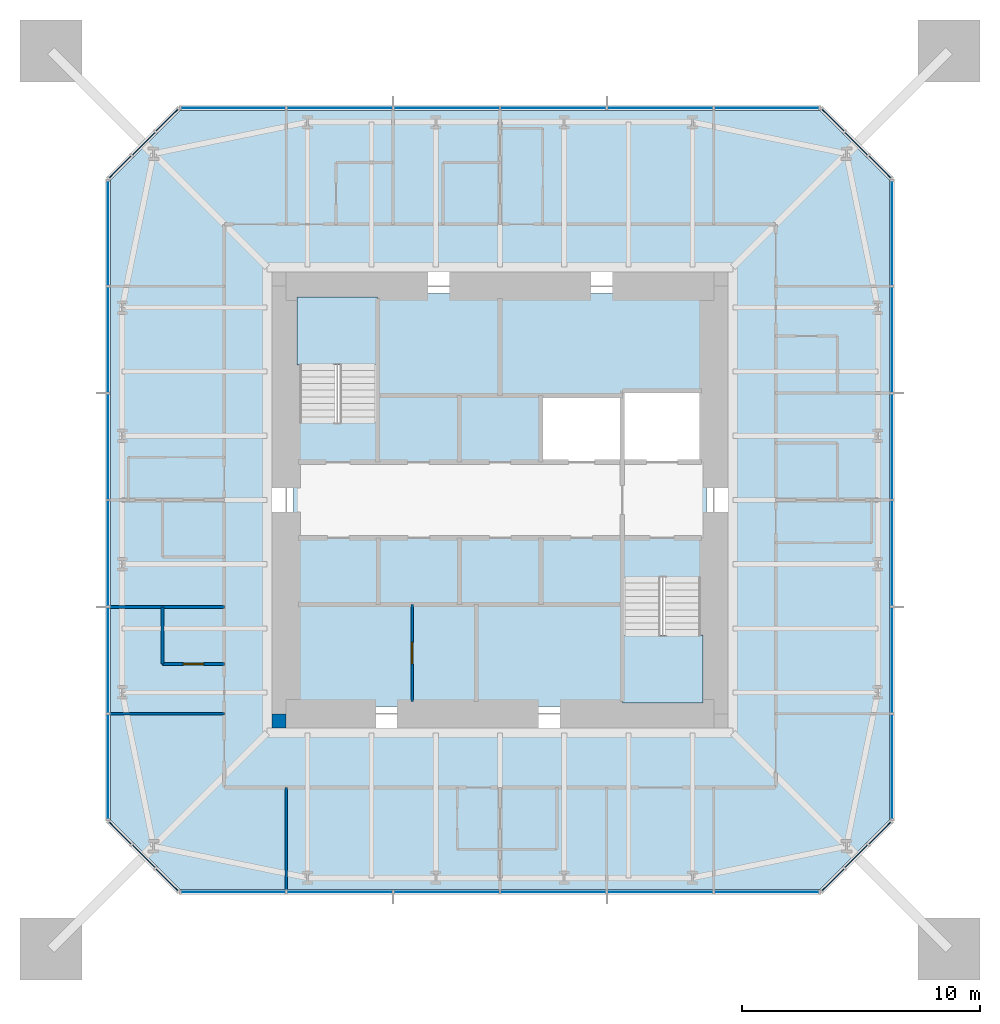
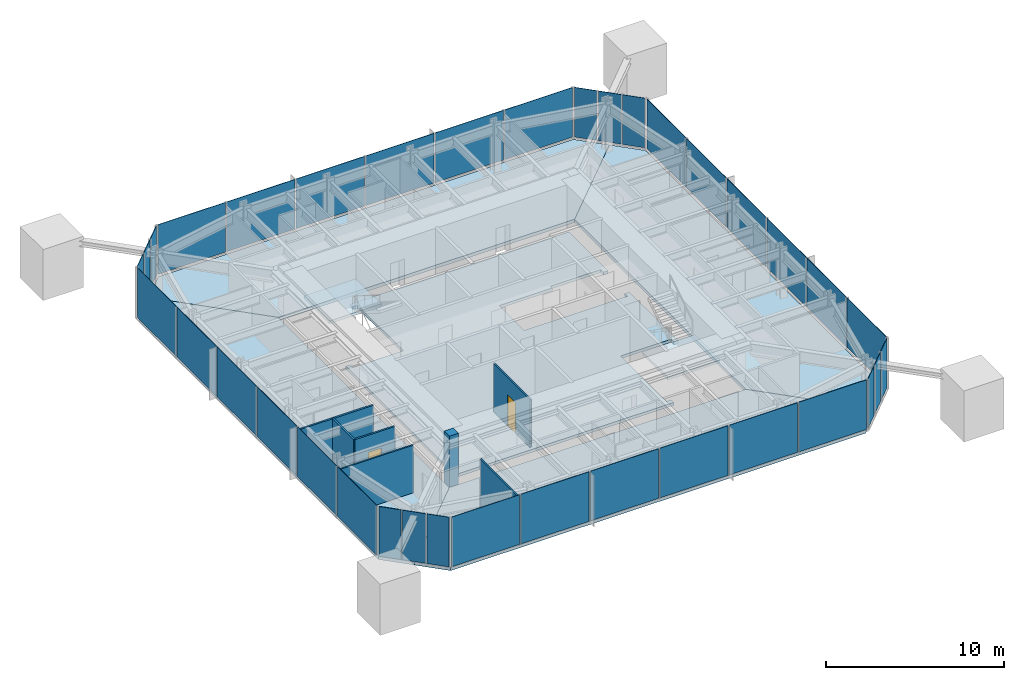
# One storey, part 5 of 9: 36 plates, 7 slabs, 7 walls, 2 doors, 2 openings, 10 elements without a shape of their own.
"""IFC4 building model written with IfcOpenShell, lengths in metres."""

import ifcopenshell
import ifcopenshell.guid

model = None  # the IFC model being written
_history = None  # IfcOwnerHistory: only IFC2X3 demands one
_inside = {}  # id of a spatial element -> (the spatial element, [elements in it])
_under = {}  # id of a project, library or spatial element -> (it, [spatial elements below it])
_declared = {}  # id of a project -> (the project, [libraries it declares])
_typed = {}  # id of a type object -> (the type object, [elements of that type])
_made_of = {}  # id of a material, layer set ... -> (it, [elements and type objects made of it])


def new_model(schema):
    """Start an empty IFC model of exactly this schema.

    Asked for "IFC4X3", IfcOpenShell would pick the latest addendum, in which some entities
    have other attributes; the version numbers below select the first issue.
    IFC2X3 requires an IfcOwnerHistory on every rooted entity: one is made here for all.
    """
    global model, _history
    if schema == "IFC4X3":
        model = ifcopenshell.file(schema_version=(4, 3, 0, 0))
    else:
        model = ifcopenshell.file(schema=schema)
    _inside.clear()
    _under.clear()
    _declared.clear()
    _typed.clear()
    _made_of.clear()
    _history = None
    if model.schema == "IFC2X3":
        org = make("IfcOrganization", Name="unknown")
        user = make(
            "IfcPersonAndOrganization",
            ThePerson=make("IfcPerson", FamilyName="unknown"),
            TheOrganization=org,
        )
        app = make(
            "IfcApplication",
            ApplicationDeveloper=org,
            Version="unknown",
            ApplicationFullName="unknown",
            ApplicationIdentifier="unknown",
        )
        _history = make(
            "IfcOwnerHistory",
            OwningUser=user,
            OwningApplication=app,
            ChangeAction="ADDED",
            CreationDate=0,
        )
    return model


def make(cls, **values):
    """One entity of the class cls with the attributes given. An attribute that is None is left unset."""
    return model.create_entity(
        cls, **{name: value for name, value in values.items() if value is not None}
    )


def rooted(cls, **values):
    """An entity with a GlobalId (a new one), such as an element, a storey or a relation."""
    return make(cls, GlobalId=ifcopenshell.guid.new(), OwnerHistory=_history, **values)


def si_unit(unit_type, name, prefix=None):
    """IfcSIUnit, for example si_unit("LENGTHUNIT", "METRE", prefix="MILLI")."""
    return make("IfcSIUnit", UnitType=unit_type, Prefix=prefix, Name=name)


def assignment(units):
    """IfcUnitAssignment: the units of a project."""
    return None if units is None else make("IfcUnitAssignment", Units=units)


def point(xyz):
    """IfcCartesianPoint."""
    return None if xyz is None else make("IfcCartesianPoint", Coordinates=xyz)


def direction(xyz):
    """IfcDirection."""
    return None if xyz is None else make("IfcDirection", DirectionRatios=xyz)


def frame(location, z_axis=None, x_axis=None):
    """IfcAxis2Placement3D, a coordinate frame: its origin and axes. An axis left out is left unset."""
    return make(
        "IfcAxis2Placement3D",
        Location=point(location),
        Axis=direction(z_axis),
        RefDirection=direction(x_axis),
    )


def frame_2d(location, x_axis=None):
    """IfcAxis2Placement2D, a coordinate frame in the plane: its origin and x axis."""
    return make(
        "IfcAxis2Placement2D", Location=point(location), RefDirection=direction(x_axis)
    )


def origin():
    """The frame at (0, 0, 0) with its axes left unset."""
    return frame((0.0, 0.0, 0.0))


def origin_2d():
    """The frame at (0, 0) in the plane with its x axis left unset."""
    return frame_2d((0.0, 0.0))


def place(relative_to, where):
    """IfcLocalPlacement: puts the frame where relative to a parent placement (None: the world)."""
    return make(
        "IfcLocalPlacement", PlacementRelTo=relative_to, RelativePlacement=where
    )


def context(
    kind, dimensions, precision=None, world=None, true_north=None, identifier=None
):
    """IfcGeometricRepresentationContext, for example the 3D "Model" context."""
    return make(
        "IfcGeometricRepresentationContext",
        ContextIdentifier=identifier,
        ContextType=kind,
        CoordinateSpaceDimension=dimensions,
        Precision=precision,
        WorldCoordinateSystem=world,
        TrueNorth=true_north,
    )


def subcontext(parent, identifier, kind, view, scale=None):
    """IfcGeometricRepresentationSubContext, for example "Body" below "Model"."""
    return make(
        "IfcGeometricRepresentationSubContext",
        ContextIdentifier=identifier,
        ContextType=kind,
        ParentContext=parent,
        TargetScale=scale,
        TargetView=view,
    )


def project(units=None, contexts=None):
    """IfcProject with its units and contexts."""
    return rooted(
        "IfcProject",
        Name="project",
        RepresentationContexts=contexts,
        UnitsInContext=assignment(units),
    )


def spatial(cls, under=None, at=None, **own):
    """A site, building, storey or space (cls), placed at a placement, below another one or the project."""
    s = rooted(cls, ObjectPlacement=at, **own)
    if under is not None:
        _under.setdefault(under.id(), (under, []))[1].append(s)
    return s


def polyline(points):
    """IfcPolyline through the points."""
    return make("IfcPolyline", Points=[point(p) for p in points])


def profile(cls, at=None, kind="AREA", **sizes):
    """A parametric profile (cls). Its sizes go by their IFC names, for example OverallWidth=200.0."""
    return make(cls, ProfileType=kind, Position=at, **sizes)


def rectangle(**sizes):
    """IfcRectangleProfileDef."""
    return profile("IfcRectangleProfileDef", **sizes)


def outline(outer, holes=None, kind="AREA"):
    """IfcArbitraryClosedProfileDef: a profile drawn as a closed curve; with holes, ...WithVoids."""
    if holes is None:
        return make("IfcArbitraryClosedProfileDef", ProfileType=kind, OuterCurve=outer)
    return make(
        "IfcArbitraryProfileDefWithVoids",
        ProfileType=kind,
        OuterCurve=outer,
        InnerCurves=holes,
    )


def extrude(swept, where, along, depth):
    """IfcExtrudedAreaSolid: the profile swept, set in the frame where, extruded along a direction by depth."""
    return make(
        "IfcExtrudedAreaSolid",
        SweptArea=swept,
        Position=where,
        ExtrudedDirection=direction(along),
        Depth=depth,
    )


def shape(context_of_items, identifier, shape_type, items):
    """IfcShapeRepresentation: the items that make up one representation, for example the "Body"."""
    return make(
        "IfcShapeRepresentation",
        ContextOfItems=context_of_items,
        RepresentationIdentifier=identifier,
        RepresentationType=shape_type,
        Items=items,
    )


def material(Name=None, Category=None):
    """IfcMaterial."""
    return make("IfcMaterial", Name=Name, Category=Category)


def layer(
    of_material, thickness, ventilated=None, Name=None, Category=None, Priority=None
):
    """IfcMaterialLayer: one layer of a wall or slab, of a material (None: an air gap)."""
    return make(
        "IfcMaterialLayer",
        Material=of_material,
        LayerThickness=thickness,
        IsVentilated=ventilated,
        Name=Name,
        Category=Category,
        Priority=Priority,
    )


def layer_set(layers, Name=None):
    """IfcMaterialLayerSet."""
    return make("IfcMaterialLayerSet", MaterialLayers=layers, LayerSetName=Name)


def constituent(of_material, Name=None, Category=None, fraction=None):
    """IfcMaterialConstituent: one of the materials an element consists of."""
    return make(
        "IfcMaterialConstituent",
        Name=Name,
        Material=of_material,
        Fraction=fraction,
        Category=Category,
    )


def constituent_set(constituents=None, Name=None):
    """IfcMaterialConstituentSet."""
    return make(
        "IfcMaterialConstituentSet", Name=Name, MaterialConstituents=constituents
    )


def made_of(thing, what):
    """Note that an element or type object is made of a material, layer set ...; save() writes the relation."""
    if what is not None:
        _made_of.setdefault(what.id(), (what, []))[1].append(thing)
    return thing


def type_object(cls, material=None, **own):
    """A type object (cls), such as IfcWallType, which elements share."""
    return made_of(rooted(cls, **own), material)


def element(
    cls,
    number,
    at=None,
    inside=None,
    cuts=None,
    type_object=None,
    material=None,
    context=None,
    identifier="Body",
    shape_type=None,
    held_by="IfcProductDefinitionShape",
    body=None,
    shapes=None,
    **own,
):
    """One element of the class cls, such as IfcWall. Its Tag is "e" and its number.

    at: its placement. inside: the storey or other place that contains it. cuts: it is an
    opening in that element (IfcRelVoidsElement). A single representation is given by context,
    identifier, shape_type and body (its items); several are given by shapes. held_by: the class
    of the entity that holds the representations. save() writes the other relations.
    """
    e = rooted(cls, Tag="e%d" % number, ObjectPlacement=at, **own)
    if body is not None:
        shapes = [shape(context, identifier, shape_type, body)]
    if shapes is not None:
        e.Representation = make(held_by, Representations=shapes)
    if inside is not None:
        _inside.setdefault(inside.id(), (inside, []))[1].append(e)
    if cuts is not None:
        rooted(
            "IfcRelVoidsElement", RelatingBuildingElement=cuts, RelatedOpeningElement=e
        )
    if type_object is not None:
        _typed.setdefault(type_object.id(), (type_object, []))[1].append(e)
    return made_of(e, material)


def fill(opening, filler):
    """IfcRelFillsElement: the door or window that sits in an opening."""
    return rooted(
        "IfcRelFillsElement",
        RelatingOpeningElement=opening,
        RelatedBuildingElement=filler,
    )


def aggregate(whole, parts):
    """IfcRelAggregates: a whole, such as a stair, and the parts it consists of."""
    return rooted("IfcRelAggregates", RelatingObject=whole, RelatedObjects=parts)


def save(model, path):
    """Write the relations noted so far, then the file.

    IfcRelAggregates (storeys below a building ...), IfcRelContainedInSpatialStructure (elements
    in a storey), IfcRelDefinesByType, IfcRelAssociatesMaterial and IfcRelDeclares: one each for
    every whole, place, type object, material and project.
    """
    for whole, parts in _under.values():
        aggregate(whole, parts)
    for where, things in _inside.values():
        rooted(
            "IfcRelContainedInSpatialStructure",
            RelatedElements=things,
            RelatingStructure=where,
        )
    for kind, things in _typed.values():
        rooted("IfcRelDefinesByType", RelatedObjects=things, RelatingType=kind)
    for what, things in _made_of.values():
        rooted("IfcRelAssociatesMaterial", RelatedObjects=things, RelatingMaterial=what)
    for by, libraries in _declared.values():
        rooted("IfcRelDeclares", RelatingContext=by, RelatedDefinitions=libraries)
    model.write(path)


model = new_model("IFC4")

# Units and contexts
model_context = context("Model", 3, precision=1e-05, world=origin(), true_north=direction((0.0, 1.0)))
body_context = subcontext(model_context, "Body", "Model", "MODEL_VIEW")
ifc_project = project(units=[si_unit("LENGTHUNIT", "METRE"), si_unit("AREAUNIT", "SQUARE_METRE"), si_unit("VOLUMEUNIT", "CUBIC_METRE"), si_unit("PLANEANGLEUNIT", "RADIAN"), si_unit("MASSUNIT", "GRAM", prefix="KILO")], contexts=[model_context])

# Site, building, storey
site_placement = place(None, origin())
site = spatial("IfcSite", under=ifc_project, at=site_placement, CompositionType="ELEMENT")
building_placement = place(site_placement, origin())
building = spatial("IfcBuilding", under=site, at=building_placement, Name="Iwan Alto Co-Living Towers", CompositionType="ELEMENT")
storey_placement = place(building_placement, frame((0.0, 0.0, 236.0)))
storey = spatial("IfcBuildingStorey", under=building, at=storey_placement, Name="L64", CompositionType="ELEMENT", Elevation=236.0)

# Slab
ifc_material_1 = material(Name="Concrete f'c 30 MPa", Category="concrete")
ifc_layer_1 = layer(ifc_material_1, 0.199951171875)
ifc_layer_set_1 = layer_set([ifc_layer_1], Name="CORE FLOOR SLAB 200")
slab_type_1 = type_object("IfcSlabType", Name="CORE FLOOR SLAB 200", PredefinedType="FLOOR", material=ifc_layer_set_1)
slab_1_placement = place(storey_placement, frame((0.0, 0.0, -0.199951171875)))
element("IfcSlab", 1, at=slab_1_placement, inside=storey, type_object=slab_type_1, Name="T1 core floor L64", PredefinedType="FLOOR", context=body_context, shape_type="SweptSolid", body=[
    extrude(outline(polyline([(-8.699951171875, 3.580078125), (-8.39990234375, 3.580078125), (-8.39990234375, 3.27001953125), (-5.14990234375, 3.27001953125), (-5.14990234375, 8.39990234375), (-5.4599609375, 8.39990234375), (-5.4599609375, 8.699951171875), (8.699951171875, 8.699951171875), (8.699951171875, 4.2900390625), (8.39990234375, 4.2900390625), (8.39990234375, 4.60009765625), (5.14990234375, 4.60009765625), (5.14990234375, 4.39990234375), (1.717041015625, 4.39990234375), (1.717041015625, 1.60009765625), (5.14990234375, 1.60009765625), (8.39990234375, 1.60009765625), (8.39990234375, 1.909912109375), (8.699951171875, 1.909912109375), (8.699951171875, -3.580078125), (8.39990234375, -3.580078125), (8.39990234375, -3.27001953125), (5.14990234375, -3.27001953125), (5.14990234375, -8.39990234375), (5.4599609375, -8.39990234375), (5.4599609375, -8.699951171875), (-8.699951171875, -8.699951171875), (-8.699951171875, 3.580078125)])), origin(), (0.0, 0.0, 1.0), 0.199951171875),
])

# Curtain wall, plates
ifc_material_2 = material(Name="Bronze aluminium unitised frame", Category="aluminium")
curtain_wall_type_1 = type_object("IfcCurtainWallType", Name="CURTAIN WALL CW-A", PredefinedType="NOTDEFINED", material=ifc_material_2)
curtain_wall_1_placement = place(storey_placement, origin())
curtain_wall_1 = element("IfcCurtainWall", 2, at=curtain_wall_1_placement, inside=storey, type_object=curtain_wall_type_1, Name="T1 curtain wall S L64", PredefinedType="NOTDEFINED")
ifc_material_3 = material(Name="Bronze-tinted insulating glass", Category="glass")
ifc_layer_2 = layer(ifc_material_3, 0.031982421875)
ifc_layer_set_2 = layer_set([ifc_layer_2], Name="CW-A PANEL TINTED IGU 32")
plate_type_1 = type_object("IfcPlateType", Name="CW-A PANEL TINTED IGU 32", PredefinedType="CURTAIN_PANEL", material=ifc_layer_set_2)
plate_1_placement = place(storey_placement, frame((-11.22998046875, -16.5, 0.10009765625), z_axis=(0.0, 0.0, 1.0), x_axis=(1.0, 0.0, 0.0)))
plate_1 = element("IfcPlate", 3, at=plate_1_placement, type_object=plate_type_1, Name="CW-A panel 1.1", PredefinedType="CURTAIN_PANEL", context=body_context, shape_type="SweptSolid", body=[
    extrude(rectangle(XDim=4.3798828125, YDim=0.031982421875, at=origin_2d()), origin(), (0.0, 0.0, 1.0), 3.39990234375),
])
plate_2_placement = place(storey_placement, frame((-6.75, -16.5, 0.10009765625), z_axis=(0.0, 0.0, 1.0), x_axis=(1.0, 0.0, 0.0)))
plate_2 = element("IfcPlate", 4, at=plate_2_placement, type_object=plate_type_1, Name="CW-A panel 2.1", PredefinedType="CURTAIN_PANEL", context=body_context, shape_type="SweptSolid", body=[
    extrude(rectangle(XDim=4.419921875, YDim=0.031982421875, at=origin_2d()), origin(), (0.0, 0.0, 1.0), 3.39990234375),
])
plate_3_placement = place(storey_placement, frame((-2.25, -16.5, 0.10009765625), z_axis=(0.0, 0.0, 1.0), x_axis=(1.0, 0.0, 0.0)))
plate_3 = element("IfcPlate", 5, at=plate_3_placement, type_object=plate_type_1, Name="CW-A panel 3.1", PredefinedType="CURTAIN_PANEL", context=body_context, shape_type="SweptSolid", body=[
    extrude(rectangle(XDim=4.419921875, YDim=0.031982421875, at=origin_2d()), origin(), (0.0, 0.0, 1.0), 3.39990234375),
])
plate_4_placement = place(storey_placement, frame((2.25, -16.5, 0.10009765625), z_axis=(0.0, 0.0, 1.0), x_axis=(1.0, 0.0, 0.0)))
plate_4 = element("IfcPlate", 6, at=plate_4_placement, type_object=plate_type_1, Name="CW-A panel 4.1", PredefinedType="CURTAIN_PANEL", context=body_context, shape_type="SweptSolid", body=[
    extrude(rectangle(XDim=4.419921875, YDim=0.031982421875, at=origin_2d()), origin(), (0.0, 0.0, 1.0), 3.39990234375),
])
plate_5_placement = place(storey_placement, frame((6.75, -16.5, 0.10009765625), z_axis=(0.0, 0.0, 1.0), x_axis=(1.0, 0.0, 0.0)))
plate_5 = element("IfcPlate", 7, at=plate_5_placement, type_object=plate_type_1, Name="CW-A panel 5.1", PredefinedType="CURTAIN_PANEL", context=body_context, shape_type="SweptSolid", body=[
    extrude(rectangle(XDim=4.419921875, YDim=0.031982421875, at=origin_2d()), origin(), (0.0, 0.0, 1.0), 3.39990234375),
])
plate_6_placement = place(storey_placement, frame((11.22998046875, -16.5, 0.10009765625), z_axis=(0.0, 0.0, 1.0), x_axis=(1.0, 0.0, 0.0)))
plate_6 = element("IfcPlate", 8, at=plate_6_placement, type_object=plate_type_1, Name="CW-A panel 6.1", PredefinedType="CURTAIN_PANEL", context=body_context, shape_type="SweptSolid", body=[
    extrude(rectangle(XDim=4.3798828125, YDim=0.031982421875, at=origin_2d()), origin(), (0.0, 0.0, 1.0), 3.39990234375),
])
aggregate(curtain_wall_1, [plate_1, plate_2, plate_3, plate_4, plate_5, plate_6])

curtain_wall_2_placement = place(storey_placement, origin())
curtain_wall_2 = element("IfcCurtainWall", 9, at=curtain_wall_2_placement, inside=storey, type_object=curtain_wall_type_1, Name="T1 curtain wall E L64", PredefinedType="NOTDEFINED")
plate_7_placement = place(storey_placement, frame((16.5, -11.22998046875, 0.10009765625), z_axis=(0.0, 0.0, 1.0), x_axis=(0.0, 1.0, 0.0)))
plate_7 = element("IfcPlate", 10, at=plate_7_placement, type_object=plate_type_1, Name="CW-A panel 1.1", PredefinedType="CURTAIN_PANEL", context=body_context, shape_type="SweptSolid", body=[
    extrude(rectangle(XDim=4.3798828125, YDim=0.031982421875, at=origin_2d()), origin(), (0.0, 0.0, 1.0), 3.39990234375),
])
plate_8_placement = place(storey_placement, frame((16.5, -6.75, 0.10009765625), z_axis=(0.0, 0.0, 1.0), x_axis=(0.0, 1.0, 0.0)))
plate_8 = element("IfcPlate", 11, at=plate_8_placement, type_object=plate_type_1, Name="CW-A panel 2.1", PredefinedType="CURTAIN_PANEL", context=body_context, shape_type="SweptSolid", body=[
    extrude(rectangle(XDim=4.419921875, YDim=0.031982421875, at=origin_2d()), origin(), (0.0, 0.0, 1.0), 3.39990234375),
])
plate_9_placement = place(storey_placement, frame((16.5, -2.25, 0.10009765625), z_axis=(0.0, 0.0, 1.0), x_axis=(0.0, 1.0, 0.0)))
plate_9 = element("IfcPlate", 12, at=plate_9_placement, type_object=plate_type_1, Name="CW-A panel 3.1", PredefinedType="CURTAIN_PANEL", context=body_context, shape_type="SweptSolid", body=[
    extrude(rectangle(XDim=4.419921875, YDim=0.031982421875, at=origin_2d()), origin(), (0.0, 0.0, 1.0), 3.39990234375),
])
plate_10_placement = place(storey_placement, frame((16.5, 2.25, 0.10009765625), z_axis=(0.0, 0.0, 1.0), x_axis=(0.0, 1.0, 0.0)))
plate_10 = element("IfcPlate", 13, at=plate_10_placement, type_object=plate_type_1, Name="CW-A panel 4.1", PredefinedType="CURTAIN_PANEL", context=body_context, shape_type="SweptSolid", body=[
    extrude(rectangle(XDim=4.419921875, YDim=0.031982421875, at=origin_2d()), origin(), (0.0, 0.0, 1.0), 3.39990234375),
])
plate_11_placement = place(storey_placement, frame((16.5, 6.75, 0.10009765625), z_axis=(0.0, 0.0, 1.0), x_axis=(0.0, 1.0, 0.0)))
plate_11 = element("IfcPlate", 14, at=plate_11_placement, type_object=plate_type_1, Name="CW-A panel 5.1", PredefinedType="CURTAIN_PANEL", context=body_context, shape_type="SweptSolid", body=[
    extrude(rectangle(XDim=4.419921875, YDim=0.031982421875, at=origin_2d()), origin(), (0.0, 0.0, 1.0), 3.39990234375),
])
plate_12_placement = place(storey_placement, frame((16.5, 11.22998046875, 0.10009765625), z_axis=(0.0, 0.0, 1.0), x_axis=(0.0, 1.0, 0.0)))
plate_12 = element("IfcPlate", 15, at=plate_12_placement, type_object=plate_type_1, Name="CW-A panel 6.1", PredefinedType="CURTAIN_PANEL", context=body_context, shape_type="SweptSolid", body=[
    extrude(rectangle(XDim=4.3798828125, YDim=0.031982421875, at=origin_2d()), origin(), (0.0, 0.0, 1.0), 3.39990234375),
])
aggregate(curtain_wall_2, [plate_7, plate_8, plate_9, plate_10, plate_11, plate_12])

curtain_wall_3_placement = place(storey_placement, origin())
curtain_wall_3 = element("IfcCurtainWall", 16, at=curtain_wall_3_placement, inside=storey, type_object=curtain_wall_type_1, Name="T1 curtain wall N L64", PredefinedType="NOTDEFINED")
plate_13_placement = place(storey_placement, frame((11.22998046875, 16.5, 0.10009765625), z_axis=(0.0, 0.0, 1.0), x_axis=(-1.0, 0.0, 0.0)))
plate_13 = element("IfcPlate", 17, at=plate_13_placement, type_object=plate_type_1, Name="CW-A panel 1.1", PredefinedType="CURTAIN_PANEL", context=body_context, shape_type="SweptSolid", body=[
    extrude(rectangle(XDim=4.3798828125, YDim=0.031982421875, at=origin_2d()), origin(), (0.0, 0.0, 1.0), 3.39990234375),
])
plate_14_placement = place(storey_placement, frame((6.75, 16.5, 0.10009765625), z_axis=(0.0, 0.0, 1.0), x_axis=(-1.0, 0.0, 0.0)))
plate_14 = element("IfcPlate", 18, at=plate_14_placement, type_object=plate_type_1, Name="CW-A panel 2.1", PredefinedType="CURTAIN_PANEL", context=body_context, shape_type="SweptSolid", body=[
    extrude(rectangle(XDim=4.419921875, YDim=0.031982421875, at=origin_2d()), origin(), (0.0, 0.0, 1.0), 3.39990234375),
])
plate_15_placement = place(storey_placement, frame((2.25, 16.5, 0.10009765625), z_axis=(0.0, 0.0, 1.0), x_axis=(-1.0, 0.0, 0.0)))
plate_15 = element("IfcPlate", 19, at=plate_15_placement, type_object=plate_type_1, Name="CW-A panel 3.1", PredefinedType="CURTAIN_PANEL", context=body_context, shape_type="SweptSolid", body=[
    extrude(rectangle(XDim=4.419921875, YDim=0.031982421875, at=origin_2d()), origin(), (0.0, 0.0, 1.0), 3.39990234375),
])
plate_16_placement = place(storey_placement, frame((-2.25, 16.5, 0.10009765625), z_axis=(0.0, 0.0, 1.0), x_axis=(-1.0, 0.0, 0.0)))
plate_16 = element("IfcPlate", 20, at=plate_16_placement, type_object=plate_type_1, Name="CW-A panel 4.1", PredefinedType="CURTAIN_PANEL", context=body_context, shape_type="SweptSolid", body=[
    extrude(rectangle(XDim=4.419921875, YDim=0.031982421875, at=origin_2d()), origin(), (0.0, 0.0, 1.0), 3.39990234375),
])
plate_17_placement = place(storey_placement, frame((-6.75, 16.5, 0.10009765625), z_axis=(0.0, 0.0, 1.0), x_axis=(-1.0, 0.0, 0.0)))
plate_17 = element("IfcPlate", 21, at=plate_17_placement, type_object=plate_type_1, Name="CW-A panel 5.1", PredefinedType="CURTAIN_PANEL", context=body_context, shape_type="SweptSolid", body=[
    extrude(rectangle(XDim=4.419921875, YDim=0.031982421875, at=origin_2d()), origin(), (0.0, 0.0, 1.0), 3.39990234375),
])
plate_18_placement = place(storey_placement, frame((-11.22998046875, 16.5, 0.10009765625), z_axis=(0.0, 0.0, 1.0), x_axis=(-1.0, 0.0, 0.0)))
plate_18 = element("IfcPlate", 22, at=plate_18_placement, type_object=plate_type_1, Name="CW-A panel 6.1", PredefinedType="CURTAIN_PANEL", context=body_context, shape_type="SweptSolid", body=[
    extrude(rectangle(XDim=4.3798828125, YDim=0.031982421875, at=origin_2d()), origin(), (0.0, 0.0, 1.0), 3.39990234375),
])
aggregate(curtain_wall_3, [plate_13, plate_14, plate_15, plate_16, plate_17, plate_18])

curtain_wall_4_placement = place(storey_placement, origin())
curtain_wall_4 = element("IfcCurtainWall", 23, at=curtain_wall_4_placement, inside=storey, type_object=curtain_wall_type_1, Name="T1 curtain wall W L64", PredefinedType="NOTDEFINED")
plate_19_placement = place(storey_placement, frame((-16.5, 11.22998046875, 0.10009765625), z_axis=(0.0, 0.0, 1.0), x_axis=(0.0, -1.0, 0.0)))
plate_19 = element("IfcPlate", 24, at=plate_19_placement, type_object=plate_type_1, Name="CW-A panel 1.1", PredefinedType="CURTAIN_PANEL", context=body_context, shape_type="SweptSolid", body=[
    extrude(rectangle(XDim=4.3798828125, YDim=0.031982421875, at=origin_2d()), origin(), (0.0, 0.0, 1.0), 3.39990234375),
])
plate_20_placement = place(storey_placement, frame((-16.5, 6.75, 0.10009765625), z_axis=(0.0, 0.0, 1.0), x_axis=(0.0, -1.0, 0.0)))
plate_20 = element("IfcPlate", 25, at=plate_20_placement, type_object=plate_type_1, Name="CW-A panel 2.1", PredefinedType="CURTAIN_PANEL", context=body_context, shape_type="SweptSolid", body=[
    extrude(rectangle(XDim=4.419921875, YDim=0.031982421875, at=origin_2d()), origin(), (0.0, 0.0, 1.0), 3.39990234375),
])
plate_21_placement = place(storey_placement, frame((-16.5, 2.25, 0.10009765625), z_axis=(0.0, 0.0, 1.0), x_axis=(0.0, -1.0, 0.0)))
plate_21 = element("IfcPlate", 26, at=plate_21_placement, type_object=plate_type_1, Name="CW-A panel 3.1", PredefinedType="CURTAIN_PANEL", context=body_context, shape_type="SweptSolid", body=[
    extrude(rectangle(XDim=4.419921875, YDim=0.031982421875, at=origin_2d()), origin(), (0.0, 0.0, 1.0), 3.39990234375),
])
plate_22_placement = place(storey_placement, frame((-16.5, -2.25, 0.10009765625), z_axis=(0.0, 0.0, 1.0), x_axis=(0.0, -1.0, 0.0)))
plate_22 = element("IfcPlate", 27, at=plate_22_placement, type_object=plate_type_1, Name="CW-A panel 4.1", PredefinedType="CURTAIN_PANEL", context=body_context, shape_type="SweptSolid", body=[
    extrude(rectangle(XDim=4.419921875, YDim=0.031982421875, at=origin_2d()), origin(), (0.0, 0.0, 1.0), 3.39990234375),
])
plate_23_placement = place(storey_placement, frame((-16.5, -6.75, 0.10009765625), z_axis=(0.0, 0.0, 1.0), x_axis=(0.0, -1.0, 0.0)))
plate_23 = element("IfcPlate", 28, at=plate_23_placement, type_object=plate_type_1, Name="CW-A panel 5.1", PredefinedType="CURTAIN_PANEL", context=body_context, shape_type="SweptSolid", body=[
    extrude(rectangle(XDim=4.419921875, YDim=0.031982421875, at=origin_2d()), origin(), (0.0, 0.0, 1.0), 3.39990234375),
])
plate_24_placement = place(storey_placement, frame((-16.5, -11.22998046875, 0.10009765625), z_axis=(0.0, 0.0, 1.0), x_axis=(0.0, -1.0, 0.0)))
plate_24 = element("IfcPlate", 29, at=plate_24_placement, type_object=plate_type_1, Name="CW-A panel 6.1", PredefinedType="CURTAIN_PANEL", context=body_context, shape_type="SweptSolid", body=[
    extrude(rectangle(XDim=4.3798828125, YDim=0.031982421875, at=origin_2d()), origin(), (0.0, 0.0, 1.0), 3.39990234375),
])
aggregate(curtain_wall_4, [plate_19, plate_20, plate_21, plate_22, plate_23, plate_24])

ifc_material_4 = material(Name="Bronze aluminium unitised frame", Category="aluminium")
curtain_wall_type_2 = type_object("IfcCurtainWallType", Name="CURTAIN WALL CW-B", PredefinedType="NOTDEFINED", material=ifc_material_4)
curtain_wall_5_placement = place(storey_placement, origin())
curtain_wall_5 = element("IfcCurtainWall", 30, at=curtain_wall_5_placement, inside=storey, type_object=curtain_wall_type_2, Name="T1 chamfer curtain wall SE L64", PredefinedType="NOTDEFINED")
ifc_material_5 = material(Name="Bronze-tinted insulating glass", Category="glass")
ifc_layer_3 = layer(ifc_material_5, 0.031982421875)
ifc_layer_set_3 = layer_set([ifc_layer_3], Name="CW-B PANEL TINTED IGU 32")
plate_type_2 = type_object("IfcPlateType", Name="CW-B PANEL TINTED IGU 32", PredefinedType="CURTAIN_PANEL", material=ifc_layer_set_3)
plate_25_placement = place(storey_placement, frame((14.01416015625, -15.98583984375, 0.10009765625), z_axis=(0.0, 0.0, 1.0), x_axis=(0.707106781187, 0.707106781187, 0.0)))
plate_25 = element("IfcPlate", 31, at=plate_25_placement, type_object=plate_type_2, Name="CW-B panel 1.1", PredefinedType="CURTAIN_PANEL", context=body_context, shape_type="SweptSolid", body=[
    extrude(rectangle(XDim=1.294189453125, YDim=0.031982421875, at=origin_2d()), origin(), (0.0, 0.0, 1.0), 3.39990234375),
])
plate_26_placement = place(storey_placement, frame((15.0, -15.0, 0.10009765625), z_axis=(0.0, 0.0, 1.0), x_axis=(0.707106781187, 0.707106781187, 0.0)))
plate_26 = element("IfcPlate", 32, at=plate_26_placement, type_object=plate_type_2, Name="CW-B panel 2.1", PredefinedType="CURTAIN_PANEL", context=body_context, shape_type="SweptSolid", body=[
    extrude(rectangle(XDim=1.334228515625, YDim=0.031982421875, at=origin_2d()), origin(), (0.0, 0.0, 1.0), 3.39990234375),
])
plate_27_placement = place(storey_placement, frame((15.98583984375, -14.01416015625, 0.10009765625), z_axis=(0.0, 0.0, 1.0), x_axis=(0.707106781187, 0.707106781187, 0.0)))
plate_27 = element("IfcPlate", 33, at=plate_27_placement, type_object=plate_type_2, Name="CW-B panel 3.1", PredefinedType="CURTAIN_PANEL", context=body_context, shape_type="SweptSolid", body=[
    extrude(rectangle(XDim=1.294189453125, YDim=0.031982421875, at=origin_2d()), origin(), (0.0, 0.0, 1.0), 3.39990234375),
])
aggregate(curtain_wall_5, [plate_25, plate_26, plate_27])

curtain_wall_6_placement = place(storey_placement, origin())
curtain_wall_6 = element("IfcCurtainWall", 34, at=curtain_wall_6_placement, inside=storey, type_object=curtain_wall_type_2, Name="T1 chamfer curtain wall NE L64", PredefinedType="NOTDEFINED")
plate_28_placement = place(storey_placement, frame((15.98583984375, 14.01416015625, 0.10009765625), z_axis=(0.0, 0.0, 1.0), x_axis=(-0.707106781187, 0.707106781187, 0.0)))
plate_28 = element("IfcPlate", 35, at=plate_28_placement, type_object=plate_type_2, Name="CW-B panel 1.1", PredefinedType="CURTAIN_PANEL", context=body_context, shape_type="SweptSolid", body=[
    extrude(rectangle(XDim=1.294189453125, YDim=0.031982421875, at=origin_2d()), origin(), (0.0, 0.0, 1.0), 3.39990234375),
])
plate_29_placement = place(storey_placement, frame((15.0, 15.0, 0.10009765625), z_axis=(0.0, 0.0, 1.0), x_axis=(-0.707106781187, 0.707106781187, 0.0)))
plate_29 = element("IfcPlate", 36, at=plate_29_placement, type_object=plate_type_2, Name="CW-B panel 2.1", PredefinedType="CURTAIN_PANEL", context=body_context, shape_type="SweptSolid", body=[
    extrude(rectangle(XDim=1.334228515625, YDim=0.031982421875, at=origin_2d()), origin(), (0.0, 0.0, 1.0), 3.39990234375),
])
plate_30_placement = place(storey_placement, frame((14.01416015625, 15.98583984375, 0.10009765625), z_axis=(0.0, 0.0, 1.0), x_axis=(-0.707106781187, 0.707106781187, 0.0)))
plate_30 = element("IfcPlate", 37, at=plate_30_placement, type_object=plate_type_2, Name="CW-B panel 3.1", PredefinedType="CURTAIN_PANEL", context=body_context, shape_type="SweptSolid", body=[
    extrude(rectangle(XDim=1.294189453125, YDim=0.031982421875, at=origin_2d()), origin(), (0.0, 0.0, 1.0), 3.39990234375),
])
aggregate(curtain_wall_6, [plate_28, plate_29, plate_30])

curtain_wall_7_placement = place(storey_placement, origin())
curtain_wall_7 = element("IfcCurtainWall", 38, at=curtain_wall_7_placement, inside=storey, type_object=curtain_wall_type_2, Name="T1 chamfer curtain wall NW L64", PredefinedType="NOTDEFINED")
plate_31_placement = place(storey_placement, frame((-14.01416015625, 15.98583984375, 0.10009765625), z_axis=(0.0, 0.0, 1.0), x_axis=(-0.707106781187, -0.707106781187, 0.0)))
plate_31 = element("IfcPlate", 39, at=plate_31_placement, type_object=plate_type_2, Name="CW-B panel 1.1", PredefinedType="CURTAIN_PANEL", context=body_context, shape_type="SweptSolid", body=[
    extrude(rectangle(XDim=1.294189453125, YDim=0.031982421875, at=origin_2d()), origin(), (0.0, 0.0, 1.0), 3.39990234375),
])
plate_32_placement = place(storey_placement, frame((-15.0, 15.0, 0.10009765625), z_axis=(0.0, 0.0, 1.0), x_axis=(-0.707106781187, -0.707106781187, 0.0)))
plate_32 = element("IfcPlate", 40, at=plate_32_placement, type_object=plate_type_2, Name="CW-B panel 2.1", PredefinedType="CURTAIN_PANEL", context=body_context, shape_type="SweptSolid", body=[
    extrude(rectangle(XDim=1.334228515625, YDim=0.031982421875, at=origin_2d()), origin(), (0.0, 0.0, 1.0), 3.39990234375),
])
plate_33_placement = place(storey_placement, frame((-15.98583984375, 14.01416015625, 0.10009765625), z_axis=(0.0, 0.0, 1.0), x_axis=(-0.707106781187, -0.707106781187, 0.0)))
plate_33 = element("IfcPlate", 41, at=plate_33_placement, type_object=plate_type_2, Name="CW-B panel 3.1", PredefinedType="CURTAIN_PANEL", context=body_context, shape_type="SweptSolid", body=[
    extrude(rectangle(XDim=1.294189453125, YDim=0.031982421875, at=origin_2d()), origin(), (0.0, 0.0, 1.0), 3.39990234375),
])
aggregate(curtain_wall_7, [plate_31, plate_32, plate_33])

curtain_wall_8_placement = place(storey_placement, origin())
curtain_wall_8 = element("IfcCurtainWall", 42, at=curtain_wall_8_placement, inside=storey, type_object=curtain_wall_type_2, Name="T1 chamfer curtain wall SW L64", PredefinedType="NOTDEFINED")
plate_34_placement = place(storey_placement, frame((-15.98583984375, -14.01416015625, 0.10009765625), z_axis=(0.0, 0.0, 1.0), x_axis=(0.707106781187, -0.707106781187, 0.0)))
plate_34 = element("IfcPlate", 43, at=plate_34_placement, type_object=plate_type_2, Name="CW-B panel 1.1", PredefinedType="CURTAIN_PANEL", context=body_context, shape_type="SweptSolid", body=[
    extrude(rectangle(XDim=1.294189453125, YDim=0.031982421875, at=origin_2d()), origin(), (0.0, 0.0, 1.0), 3.39990234375),
])
plate_35_placement = place(storey_placement, frame((-15.0, -15.0, 0.10009765625), z_axis=(0.0, 0.0, 1.0), x_axis=(0.707106781187, -0.707106781187, 0.0)))
plate_35 = element("IfcPlate", 44, at=plate_35_placement, type_object=plate_type_2, Name="CW-B panel 2.1", PredefinedType="CURTAIN_PANEL", context=body_context, shape_type="SweptSolid", body=[
    extrude(rectangle(XDim=1.334228515625, YDim=0.031982421875, at=origin_2d()), origin(), (0.0, 0.0, 1.0), 3.39990234375),
])
plate_36_placement = place(storey_placement, frame((-14.01416015625, -15.98583984375, 0.10009765625), z_axis=(0.0, 0.0, 1.0), x_axis=(0.707106781187, -0.707106781187, 0.0)))
plate_36 = element("IfcPlate", 45, at=plate_36_placement, type_object=plate_type_2, Name="CW-B panel 3.1", PredefinedType="CURTAIN_PANEL", context=body_context, shape_type="SweptSolid", body=[
    extrude(rectangle(XDim=1.294189453125, YDim=0.031982421875, at=origin_2d()), origin(), (0.0, 0.0, 1.0), 3.39990234375),
])
aggregate(curtain_wall_8, [plate_34, plate_35, plate_36])

# Stair, slab
ifc_material_6 = material(Name="Steel ASTM A36", Category="steel")
ifc_constituent_1 = constituent(ifc_material_6, Name="Stringers", Category="LoadBearing")
ifc_material_7 = material(Name="Concrete f'c 30 MPa", Category="concrete")
ifc_constituent_2 = constituent(ifc_material_7, Name="Tread fill", Category="Finish")
ifc_constituent_set = constituent_set(constituents=[ifc_constituent_1, ifc_constituent_2], Name="STAIR 3500 TWO-FLIGHT T1 CORE")
stair_type = type_object("IfcStairType", Name="STAIR 3500 TWO-FLIGHT T1 CORE", PredefinedType="HALF_TURN_STAIR", material=ifc_constituent_set)
stair_1_placement = place(storey_placement, origin())
stair_1 = element("IfcStair", 46, at=stair_1_placement, inside=storey, type_object=stair_type, Name="Stair T1-S1 L64 to L65", PredefinedType="HALF_TURN_STAIR")
ifc_material_8 = material(Name="Concrete f'c 30 MPa", Category="concrete")
ifc_layer_4 = layer(ifc_material_8, 0.199951171875)
ifc_layer_set_4 = layer_set([ifc_layer_4], Name="STAIR LANDING 200")
slab_type_2 = type_object("IfcSlabType", Name="STAIR LANDING 200", PredefinedType="LANDING", material=ifc_layer_set_4)
slab_2_placement = place(storey_placement, frame((0.0, 0.0, 1.550048828125)))
slab_2 = element("IfcSlab", 47, at=slab_2_placement, type_object=slab_type_2, Name="T1-S1 landing 1", PredefinedType="LANDING", context=body_context, shape_type="SweptSolid", body=[
    extrude(outline(polyline([(-8.550048828125, 5.68994140625), (-8.550048828125, 8.550048828125), (-5.14990234375, 8.550048828125), (-5.14990234375, 5.68994140625), (-8.550048828125, 5.68994140625)])), origin(), (0.0, 0.0, 1.0), 0.199951171875),
])
aggregate(stair_1, [slab_2])

stair_2_placement = place(storey_placement, origin())
stair_2 = element("IfcStair", 48, at=stair_2_placement, inside=storey, type_object=stair_type, Name="Stair T1-S2 L64 to L65", PredefinedType="HALF_TURN_STAIR")
slab_3_placement = place(storey_placement, frame((0.0, 0.0, 1.550048828125)))
slab_3 = element("IfcSlab", 49, at=slab_3_placement, type_object=slab_type_2, Name="T1-S2 landing 1", PredefinedType="LANDING", context=body_context, shape_type="SweptSolid", body=[
    extrude(outline(polyline([(5.14990234375, -5.68994140625), (5.14990234375, -8.550048828125), (8.550048828125, -8.550048828125), (8.550048828125, -5.68994140625), (5.14990234375, -5.68994140625)])), origin(), (0.0, 0.0, 1.0), 0.199951171875),
])
aggregate(stair_2, [slab_3])

# Slabs
ifc_material_9 = material(Name="Concrete f'c 30 MPa", Category="concrete")
ifc_layer_5 = layer(ifc_material_9, 0.22998046875)
ifc_layer_set_5 = layer_set([ifc_layer_5], Name="T1 FLOOR SLAB 230")
slab_type_3 = type_object("IfcSlabType", Name="T1 FLOOR SLAB 230", PredefinedType="FLOOR", material=ifc_layer_set_5)
slab_4_placement = place(storey_placement, frame((0.0, 0.0, -0.22998046875)))
element("IfcSlab", 50, at=slab_4_placement, inside=storey, type_object=slab_type_3, Name="T1 floor slab L64 S pour", PredefinedType="FLOOR", context=body_context, shape_type="SweptSolid", body=[
    extrude(outline(polyline([(13.44140625, -16.39990234375), (-13.44140625, -16.39990234375), (-14.920654296875, -14.920654296875), (-9.60009765625, -9.60009765625), (9.60009765625, -9.60009765625), (14.920654296875, -14.920654296875), (13.44140625, -16.39990234375)])), origin(), (0.0, 0.0, 1.0), 0.22998046875),
])
slab_5_placement = place(storey_placement, frame((0.0, 0.0, -0.22998046875)))
element("IfcSlab", 51, at=slab_5_placement, inside=storey, type_object=slab_type_3, Name="T1 floor slab L64 E pour", PredefinedType="FLOOR", context=body_context, shape_type="SweptSolid", body=[
    extrude(outline(polyline([(16.39990234375, 13.44140625), (16.39990234375, -13.44140625), (14.920654296875, -14.920654296875), (9.60009765625, -9.60009765625), (9.60009765625, 9.60009765625), (14.920654296875, 14.920654296875), (16.39990234375, 13.44140625)])), origin(), (0.0, 0.0, 1.0), 0.22998046875),
])
slab_6_placement = place(storey_placement, frame((0.0, 0.0, -0.22998046875)))
element("IfcSlab", 52, at=slab_6_placement, inside=storey, type_object=slab_type_3, Name="T1 floor slab L64 N pour", PredefinedType="FLOOR", context=body_context, shape_type="SweptSolid", body=[
    extrude(outline(polyline([(-13.44140625, 16.39990234375), (13.44140625, 16.39990234375), (14.920654296875, 14.920654296875), (9.60009765625, 9.60009765625), (-9.60009765625, 9.60009765625), (-14.920654296875, 14.920654296875), (-13.44140625, 16.39990234375)])), origin(), (0.0, 0.0, 1.0), 0.22998046875),
])
slab_7_placement = place(storey_placement, frame((0.0, 0.0, -0.22998046875)))
element("IfcSlab", 53, at=slab_7_placement, inside=storey, type_object=slab_type_3, Name="T1 floor slab L64 W pour", PredefinedType="FLOOR", context=body_context, shape_type="SweptSolid", body=[
    extrude(outline(polyline([(-16.39990234375, 13.44140625), (-14.920654296875, 14.920654296875), (-9.60009765625, 9.60009765625), (-9.60009765625, -9.60009765625), (-14.920654296875, -14.920654296875), (-16.39990234375, -13.44140625), (-16.39990234375, 13.44140625)])), origin(), (0.0, 0.0, 1.0), 0.22998046875),
])

# Wall
ifc_material_10 = material(Name="Gypsum board")
ifc_layer_6 = layer(ifc_material_10, 0.012451171875, Name="Board", Category="Finish")
ifc_material_11 = material(Name="Steel ASTM A1003 ST33H cold-formed studs", Category="steel")
ifc_layer_7 = layer(ifc_material_11, 0.074951171875, Name="Studs", Category="Framing")
ifc_layer_8 = layer(ifc_material_10, 0.012451171875, Name="Board", Category="Finish")
ifc_layer_set_6 = layer_set([ifc_layer_6, ifc_layer_7, ifc_layer_8], Name="PARTITION 100")
wall_type_1 = type_object("IfcWallType", Name="PARTITION 100", PredefinedType="PARTITIONING", material=ifc_layer_set_6)
wall_1_placement = place(storey_placement, frame((-16.43994140625, -9.0, 0.0), z_axis=(0.0, 0.0, 1.0), x_axis=(1.0, 0.0, 0.0)))
element("IfcWall", 54, at=wall_1_placement, inside=storey, type_object=wall_type_1, Name="Partition L64", PredefinedType="PARTITIONING", context=body_context, shape_type="SweptSolid", body=[
    extrude(rectangle(XDim=4.83984375, YDim=0.10009765625, at=frame_2d((2.419921875, 0.0))), origin(), (0.0, 0.0, 1.0), 3.27001953125),
])

# Wall, opening, door
wall_2_placement = place(storey_placement, frame((-3.699951171875, -8.489990234375, 0.0), z_axis=(0.0, 0.0, 1.0), x_axis=(0.0, 1.0, 0.0)))
wall_2 = element("IfcWall", 55, at=wall_2_placement, inside=storey, type_object=wall_type_1, Name="Partition L64", PredefinedType="PARTITIONING", context=body_context, shape_type="SweptSolid", body=[
    extrude(rectangle(XDim=4.090087890625, YDim=0.10009765625, at=frame_2d((2.044921875, 0.0))), origin(), (0.0, 0.0, 1.0), 3.300048828125),
])
opening_1_placement = place(wall_2_placement, frame((1.594970703125, 0.0, 0.0)))
opening_1 = element("IfcOpeningElement", 56, at=opening_1_placement, cuts=wall_2, Name="Opening D16", PredefinedType="OPENING", context=body_context, shape_type="SweptSolid", body=[
    extrude(rectangle(XDim=0.89990234375, YDim=2.10009765625, at=frame_2d((0.449951171875, 1.050048828125))), frame((0.0, 0.06005859375, 0.0), z_axis=(0.0, -1.0, 0.0), x_axis=(1.0, 0.0, 0.0)), (0.0, 0.0, 1.0), 0.1201171875),
])
ifc_material_12 = material(Name="Timber leaf in steel frame", Category="steel")
door_type_1 = type_object("IfcDoorType", Name="CUPBOARD SLIDING DOOR 900X2100", OperationType="SLIDING_TO_LEFT", PredefinedType="DOOR", material=ifc_material_12)
door_1_placement = place(opening_1_placement, origin())
door_1 = element("IfcDoor", 57, at=door_1_placement, inside=storey, type_object=door_type_1, Name="Cleaner's store door L64", OperationType="SLIDING_TO_LEFT", OverallHeight=2.10009765625, OverallWidth=0.89990234375, PredefinedType="DOOR", context=body_context, shape_type="SweptSolid", body=[
    extrude(rectangle(XDim=0.89990234375, YDim=2.10009765625, at=frame_2d((0.449951171875, 1.050048828125))), frame((0.0, 0.02490234375, 0.0), z_axis=(0.0, -1.0, 0.0), x_axis=(1.0, 0.0, 0.0)), (0.0, 0.0, 1.0), 0.050048828125),
])
fill(opening_1, door_1)

# Walls
wall_3_placement = place(storey_placement, frame((-9.0, -16.43994140625, 0.0), z_axis=(0.0, 0.0, 1.0), x_axis=(0.0, 1.0, 0.0)))
element("IfcWall", 58, at=wall_3_placement, inside=storey, type_object=wall_type_1, Name="Partition L64", PredefinedType="PARTITIONING", context=body_context, shape_type="SweptSolid", body=[
    extrude(rectangle(XDim=4.33984375, YDim=0.10009765625, at=frame_2d((2.169921875, 0.0))), origin(), (0.0, 0.0, 1.0), 3.27001953125),
])
ifc_material_13 = material(Name="Concrete f'c 70 MPa", Category="concrete")
ifc_layer_9 = layer(ifc_material_13, 0.60009765625)
ifc_layer_set_7 = layer_set([ifc_layer_9], Name="T1 CORE CORNER FILL 600")
wall_type_2 = type_object("IfcWallType", Name="T1 CORE CORNER FILL 600", PredefinedType="SOLIDWALL", material=ifc_layer_set_7)
wall_4_placement = place(storey_placement, frame((-9.60009765625, -9.300048828125, 0.0), z_axis=(0.0, 0.0, 1.0), x_axis=(1.0, 0.0, 0.0)))
element("IfcWall", 59, at=wall_4_placement, inside=storey, type_object=wall_type_2, Name="T1 core corner SW L64", PredefinedType="SOLIDWALL", context=body_context, shape_type="SweptSolid", body=[
    extrude(rectangle(XDim=0.60009765625, YDim=0.60009765625, at=frame_2d((0.300048828125, 0.0))), origin(), (0.0, 0.0, 1.0), 3.5),
])

# Wall, opening, door
ifc_material_14 = material(Name="Cement board")
ifc_layer_10 = layer(ifc_material_14, 0.012451171875, Name="Board", Category="Finish")
ifc_layer_11 = layer(ifc_material_11, 0.094970703125, Name="Studs", Category="Framing")
ifc_layer_12 = layer(ifc_material_14, 0.012451171875, Name="Board", Category="Finish")
ifc_layer_set_8 = layer_set([ifc_layer_10, ifc_layer_11, ifc_layer_12], Name="WET AREA PARTITION 120")
wall_type_3 = type_object("IfcWallType", Name="WET AREA PARTITION 120", PredefinedType="PARTITIONING", material=ifc_layer_set_8)
wall_5_placement = place(storey_placement, frame((-14.199951171875, -6.89990234375, 0.0), z_axis=(0.0, 0.0, 1.0), x_axis=(1.0, 0.0, 0.0)))
wall_5 = element("IfcWall", 60, at=wall_5_placement, inside=storey, type_object=wall_type_3, Name="Partition L64", PredefinedType="PARTITIONING", context=body_context, shape_type="SweptSolid", body=[
    extrude(rectangle(XDim=2.599853515625, YDim=0.1201171875, at=frame_2d((1.2998046875, 0.0))), origin(), (0.0, 0.0, 1.0), 3.27001953125),
])
opening_2_placement = place(wall_5_placement, frame((0.875, 0.0, 0.0)))
opening_2 = element("IfcOpeningElement", 61, at=opening_2_placement, cuts=wall_5, Name="Opening D2", PredefinedType="OPENING", context=body_context, shape_type="SweptSolid", body=[
    extrude(rectangle(XDim=0.85009765625, YDim=2.10009765625, at=frame_2d((0.425048828125, 1.050048828125))), frame((0.0, 0.070068359375, 0.0), z_axis=(0.0, -1.0, 0.0), x_axis=(1.0, 0.0, 0.0)), (0.0, 0.0, 1.0), 0.14013671875),
])
ifc_material_15 = material(Name="Timber leaf in steel frame", Category="steel")
door_type_2 = type_object("IfcDoorType", Name="ROOM DOOR 850X2100", OperationType="SINGLE_SWING_LEFT", PredefinedType="DOOR", material=ifc_material_15)
door_2_placement = place(opening_2_placement, frame((0.85009765625, 0.0, 0.0), z_axis=(0.0, 0.0, 1.0), x_axis=(-1.0, 0.0, 0.0)))
door_2 = element("IfcDoor", 62, at=door_2_placement, inside=storey, type_object=door_type_2, Name="En-suite shower room door L64", OperationType="SINGLE_SWING_LEFT", OverallHeight=2.10009765625, OverallWidth=0.85009765625, PredefinedType="DOOR", context=body_context, shape_type="SweptSolid", body=[
    extrude(rectangle(XDim=0.85009765625, YDim=2.10009765625, at=frame_2d((0.425048828125, 1.050048828125))), frame((0.0, 0.02490234375, 0.0), z_axis=(0.0, -1.0, 0.0), x_axis=(1.0, 0.0, 0.0)), (0.0, 0.0, 1.0), 0.050048828125),
])
fill(opening_2, door_2)

# Walls
wall_6_placement = place(storey_placement, frame((-16.43994140625, -4.5, 0.0), z_axis=(0.0, 0.0, 1.0), x_axis=(1.0, 0.0, 0.0)))
element("IfcWall", 63, at=wall_6_placement, inside=storey, type_object=wall_type_3, Name="Partition L64", PredefinedType="PARTITIONING", context=body_context, shape_type="SweptSolid", body=[
    extrude(rectangle(XDim=4.83984375, YDim=0.1201171875, at=frame_2d((2.419921875, 0.0))), origin(), (0.0, 0.0, 1.0), 3.27001953125),
])
wall_7_placement = place(storey_placement, frame((-14.199951171875, -6.89990234375, 0.0), z_axis=(0.0, 0.0, 1.0), x_axis=(0.0, 1.0, 0.0)))
element("IfcWall", 64, at=wall_7_placement, inside=storey, type_object=wall_type_3, Name="Partition L64", PredefinedType="PARTITIONING", context=body_context, shape_type="SweptSolid", body=[
    extrude(rectangle(XDim=2.39990234375, YDim=0.1201171875, at=frame_2d((1.199951171875, 0.0))), origin(), (0.0, 0.0, 1.0), 3.27001953125),
])

save(model, "model.ifc")
